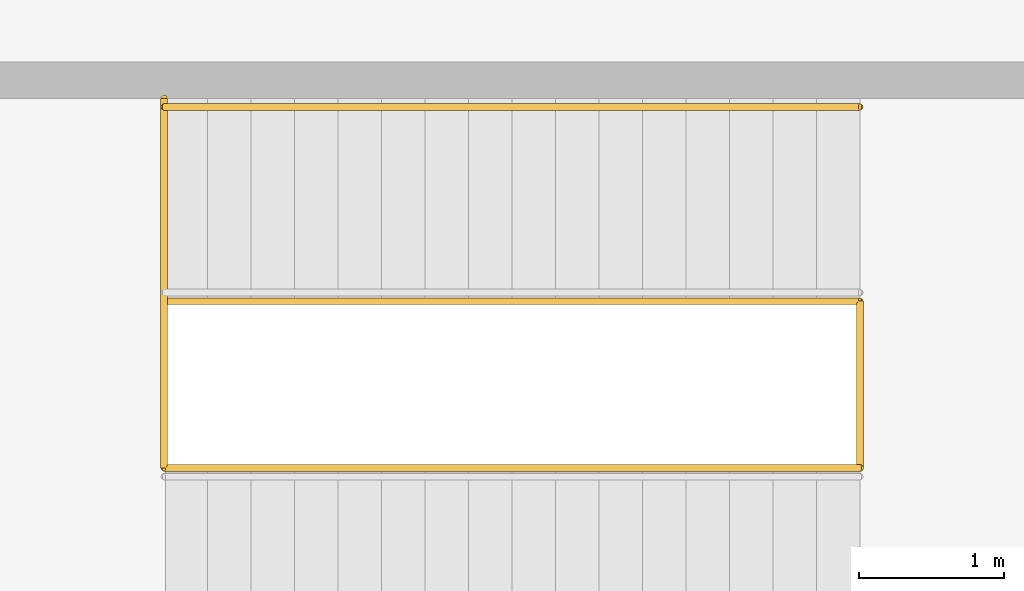
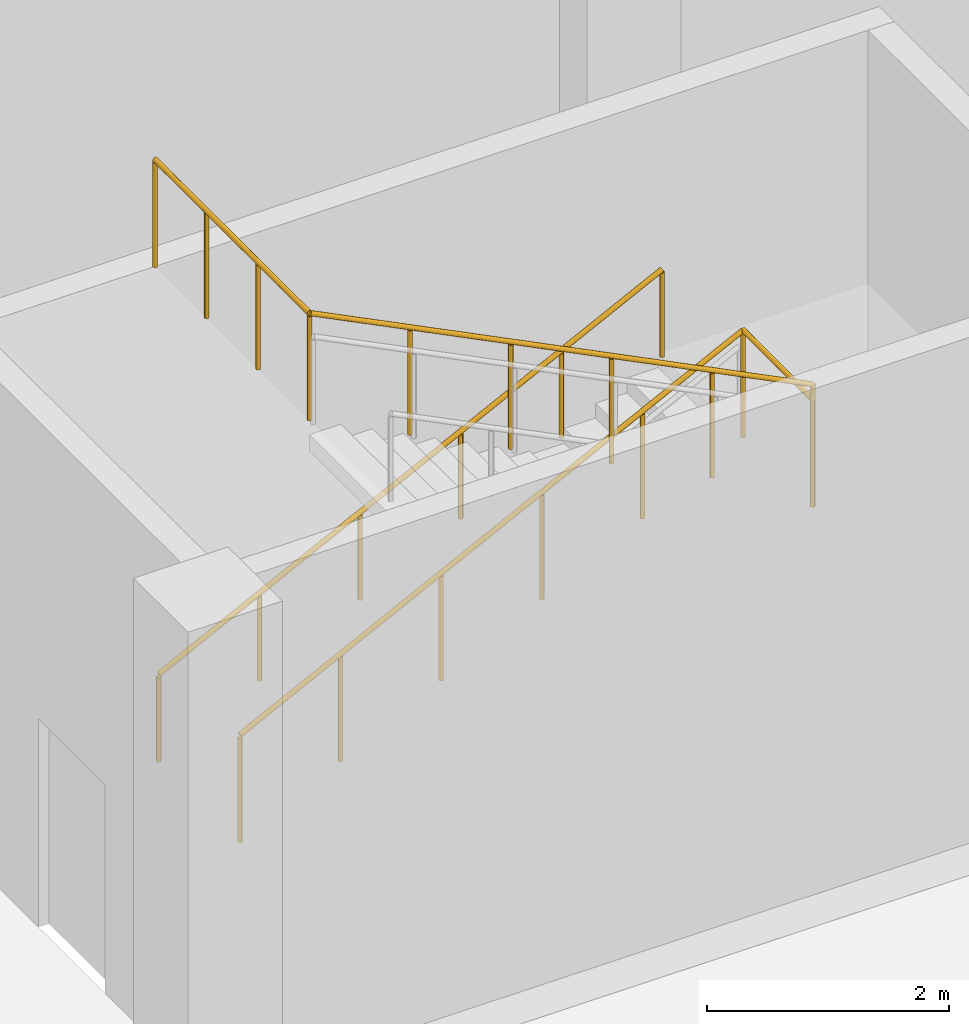
# One storey, part 16 of 16: 2 railings.
"""IFC4 building model written with IfcOpenShell, lengths in metres."""

import ifcopenshell
import ifcopenshell.guid

model = None  # the IFC model being written
_history = None  # IfcOwnerHistory: only IFC2X3 demands one
_inside = {}  # id of a spatial element -> (the spatial element, [elements in it])
_under = {}  # id of a project, library or spatial element -> (it, [spatial elements below it])
_declared = {}  # id of a project -> (the project, [libraries it declares])
_typed = {}  # id of a type object -> (the type object, [elements of that type])
_made_of = {}  # id of a material, layer set ... -> (it, [elements and type objects made of it])


def new_model(schema):
    """Start an empty IFC model of exactly this schema.

    Asked for "IFC4X3", IfcOpenShell would pick the latest addendum, in which some entities
    have other attributes; the version numbers below select the first issue.
    IFC2X3 requires an IfcOwnerHistory on every rooted entity: one is made here for all.
    """
    global model, _history
    if schema == "IFC4X3":
        model = ifcopenshell.file(schema_version=(4, 3, 0, 0))
    else:
        model = ifcopenshell.file(schema=schema)
    _inside.clear()
    _under.clear()
    _declared.clear()
    _typed.clear()
    _made_of.clear()
    _history = None
    if model.schema == "IFC2X3":
        org = make("IfcOrganization", Name="unknown")
        user = make(
            "IfcPersonAndOrganization",
            ThePerson=make("IfcPerson", FamilyName="unknown"),
            TheOrganization=org,
        )
        app = make(
            "IfcApplication",
            ApplicationDeveloper=org,
            Version="unknown",
            ApplicationFullName="unknown",
            ApplicationIdentifier="unknown",
        )
        _history = make(
            "IfcOwnerHistory",
            OwningUser=user,
            OwningApplication=app,
            ChangeAction="ADDED",
            CreationDate=0,
        )
    return model


def make(cls, **values):
    """One entity of the class cls with the attributes given. An attribute that is None is left unset."""
    return model.create_entity(
        cls, **{name: value for name, value in values.items() if value is not None}
    )


def rooted(cls, **values):
    """An entity with a GlobalId (a new one), such as an element, a storey or a relation."""
    return make(cls, GlobalId=ifcopenshell.guid.new(), OwnerHistory=_history, **values)


def si_unit(unit_type, name, prefix=None):
    """IfcSIUnit, for example si_unit("LENGTHUNIT", "METRE", prefix="MILLI")."""
    return make("IfcSIUnit", UnitType=unit_type, Prefix=prefix, Name=name)


def assignment(units):
    """IfcUnitAssignment: the units of a project."""
    return None if units is None else make("IfcUnitAssignment", Units=units)


def point(xyz):
    """IfcCartesianPoint."""
    return None if xyz is None else make("IfcCartesianPoint", Coordinates=xyz)


def direction(xyz):
    """IfcDirection."""
    return None if xyz is None else make("IfcDirection", DirectionRatios=xyz)


def frame(location, z_axis=None, x_axis=None):
    """IfcAxis2Placement3D, a coordinate frame: its origin and axes. An axis left out is left unset."""
    return make(
        "IfcAxis2Placement3D",
        Location=point(location),
        Axis=direction(z_axis),
        RefDirection=direction(x_axis),
    )


def frame_2d(location, x_axis=None):
    """IfcAxis2Placement2D, a coordinate frame in the plane: its origin and x axis."""
    return make(
        "IfcAxis2Placement2D", Location=point(location), RefDirection=direction(x_axis)
    )


def origin():
    """The frame at (0, 0, 0) with its axes left unset."""
    return frame((0.0, 0.0, 0.0))


def origin_2d():
    """The frame at (0, 0) in the plane with its x axis left unset."""
    return frame_2d((0.0, 0.0))


def place(relative_to, where):
    """IfcLocalPlacement: puts the frame where relative to a parent placement (None: the world)."""
    return make(
        "IfcLocalPlacement", PlacementRelTo=relative_to, RelativePlacement=where
    )


def context(
    kind, dimensions, precision=None, world=None, true_north=None, identifier=None
):
    """IfcGeometricRepresentationContext, for example the 3D "Model" context."""
    return make(
        "IfcGeometricRepresentationContext",
        ContextIdentifier=identifier,
        ContextType=kind,
        CoordinateSpaceDimension=dimensions,
        Precision=precision,
        WorldCoordinateSystem=world,
        TrueNorth=true_north,
    )


def subcontext(parent, identifier, kind, view, scale=None):
    """IfcGeometricRepresentationSubContext, for example "Body" below "Model"."""
    return make(
        "IfcGeometricRepresentationSubContext",
        ContextIdentifier=identifier,
        ContextType=kind,
        ParentContext=parent,
        TargetScale=scale,
        TargetView=view,
    )


def project(units=None, contexts=None):
    """IfcProject with its units and contexts."""
    return rooted(
        "IfcProject",
        Name="project",
        RepresentationContexts=contexts,
        UnitsInContext=assignment(units),
    )


def spatial(cls, under=None, at=None, **own):
    """A site, building, storey or space (cls), placed at a placement, below another one or the project."""
    s = rooted(cls, ObjectPlacement=at, **own)
    if under is not None:
        _under.setdefault(under.id(), (under, []))[1].append(s)
    return s


def profile(cls, at=None, kind="AREA", **sizes):
    """A parametric profile (cls). Its sizes go by their IFC names, for example OverallWidth=200.0."""
    return make(cls, ProfileType=kind, Position=at, **sizes)


def circle(**sizes):
    """IfcCircleProfileDef."""
    return profile("IfcCircleProfileDef", **sizes)


def extrude(swept, where, along, depth):
    """IfcExtrudedAreaSolid: the profile swept, set in the frame where, extruded along a direction by depth."""
    return make(
        "IfcExtrudedAreaSolid",
        SweptArea=swept,
        Position=where,
        ExtrudedDirection=direction(along),
        Depth=depth,
    )


def shape(context_of_items, identifier, shape_type, items):
    """IfcShapeRepresentation: the items that make up one representation, for example the "Body"."""
    return make(
        "IfcShapeRepresentation",
        ContextOfItems=context_of_items,
        RepresentationIdentifier=identifier,
        RepresentationType=shape_type,
        Items=items,
    )


def material(Name=None, Category=None):
    """IfcMaterial."""
    return make("IfcMaterial", Name=Name, Category=Category)


def made_of(thing, what):
    """Note that an element or type object is made of a material, layer set ...; save() writes the relation."""
    if what is not None:
        _made_of.setdefault(what.id(), (what, []))[1].append(thing)
    return thing


def type_object(cls, material=None, **own):
    """A type object (cls), such as IfcWallType, which elements share."""
    return made_of(rooted(cls, **own), material)


def element(
    cls,
    number,
    at=None,
    inside=None,
    cuts=None,
    type_object=None,
    material=None,
    context=None,
    identifier="Body",
    shape_type=None,
    held_by="IfcProductDefinitionShape",
    body=None,
    shapes=None,
    **own,
):
    """One element of the class cls, such as IfcWall. Its Tag is "e" and its number.

    at: its placement. inside: the storey or other place that contains it. cuts: it is an
    opening in that element (IfcRelVoidsElement). A single representation is given by context,
    identifier, shape_type and body (its items); several are given by shapes. held_by: the class
    of the entity that holds the representations. save() writes the other relations.
    """
    e = rooted(cls, Tag="e%d" % number, ObjectPlacement=at, **own)
    if body is not None:
        shapes = [shape(context, identifier, shape_type, body)]
    if shapes is not None:
        e.Representation = make(held_by, Representations=shapes)
    if inside is not None:
        _inside.setdefault(inside.id(), (inside, []))[1].append(e)
    if cuts is not None:
        rooted(
            "IfcRelVoidsElement", RelatingBuildingElement=cuts, RelatedOpeningElement=e
        )
    if type_object is not None:
        _typed.setdefault(type_object.id(), (type_object, []))[1].append(e)
    return made_of(e, material)


def aggregate(whole, parts):
    """IfcRelAggregates: a whole, such as a stair, and the parts it consists of."""
    return rooted("IfcRelAggregates", RelatingObject=whole, RelatedObjects=parts)


def save(model, path):
    """Write the relations noted so far, then the file.

    IfcRelAggregates (storeys below a building ...), IfcRelContainedInSpatialStructure (elements
    in a storey), IfcRelDefinesByType, IfcRelAssociatesMaterial and IfcRelDeclares: one each for
    every whole, place, type object, material and project.
    """
    for whole, parts in _under.values():
        aggregate(whole, parts)
    for where, things in _inside.values():
        rooted(
            "IfcRelContainedInSpatialStructure",
            RelatedElements=things,
            RelatingStructure=where,
        )
    for kind, things in _typed.values():
        rooted("IfcRelDefinesByType", RelatedObjects=things, RelatingType=kind)
    for what, things in _made_of.values():
        rooted("IfcRelAssociatesMaterial", RelatedObjects=things, RelatingMaterial=what)
    for by, libraries in _declared.values():
        rooted("IfcRelDeclares", RelatingContext=by, RelatedDefinitions=libraries)
    model.write(path)


model = new_model("IFC4")

# Units and contexts
model_context = context("Model", 3, precision=1e-05, world=origin(), true_north=direction((0.0, 1.0)))
body_context = subcontext(model_context, "Body", "Model", "MODEL_VIEW")
ifc_project = project(units=[si_unit("LENGTHUNIT", "METRE"), si_unit("AREAUNIT", "SQUARE_METRE"), si_unit("VOLUMEUNIT", "CUBIC_METRE"), si_unit("PLANEANGLEUNIT", "RADIAN"), si_unit("MASSUNIT", "GRAM", prefix="KILO")], contexts=[model_context])

# Site, building, storey
site_placement = place(None, origin())
site = spatial("IfcSite", under=ifc_project, at=site_placement, CompositionType="ELEMENT")
building_placement = place(site_placement, origin())
building = spatial("IfcBuilding", under=site, at=building_placement, Name="Guidao Yard Department Store", CompositionType="ELEMENT")
storey_placement = place(building_placement, frame((0.0, 0.0, -5.10009765625)))
storey = spatial("IfcBuildingStorey", under=building, at=storey_placement, Name="B1", CompositionType="ELEMENT", Elevation=-5.10009765625)

# Railings
ifc_material_1 = material(Name="Steel Q235", Category="steel")
railing_type_1 = type_object("IfcRailingType", Name="Guard steel balustrade 1100", PredefinedType="GUARDRAIL", material=ifc_material_1)
railing_1_placement = place(storey_placement, frame((154.949951171875, 38.85009765625, 0.150146484375)))
element("IfcRailing", 1, at=railing_1_placement, inside=storey, type_object=railing_type_1, Name="Basement stair Y2 guard B1 8", PredefinedType="GUARDRAIL", context=body_context, shape_type="SweptSolid", body=[
    extrude(circle(Radius=0.02392578125, at=origin_2d()), frame((0.0, 0.0, 1.076171875), z_axis=(0.894436289399, 0.0, 0.44719539824), x_axis=(0.0, 1.0, 0.0)), (0.0, 0.0, 1.0), 5.366455078125),
    extrude(circle(Radius=0.02392578125, at=origin_2d()), frame((4.800048828125, 0.0, 3.47607421875), z_axis=(0.0, -1.0, 0.0), x_axis=(1.0, 0.0, 0.0)), (0.0, 0.0, 1.0), 1.150146484375),
    extrude(circle(Radius=0.02392578125, at=origin_2d()), frame((4.800048828125, -1.150146484375, 3.47607421875), z_axis=(0.0, 0.0, 1.0), x_axis=(1.0, 0.0, 0.0)), (0.0, 0.0, 1.0), 0.150146484375),
    extrude(circle(Radius=0.02392578125, at=origin_2d()), frame((4.800048828125, -1.150146484375, 3.6259765625), z_axis=(-0.894436289399, 0.0, 0.44719539824), x_axis=(0.0, -1.0, 0.0)), (0.0, 0.0, 1.0), 5.366455078125),
    extrude(circle(Radius=0.02392578125, at=origin_2d()), frame((0.0, -1.150146484375, 6.02587890625), z_axis=(0.0, 1.0, 0.0), x_axis=(-1.0, 0.0, 0.0)), (0.0, 0.0, 1.0), 2.550048828125),
    extrude(circle(Radius=0.02099609375, at=origin_2d()), origin(), (0.0, 0.0, 1.0), 1.052001953125),
    extrude(circle(Radius=0.02099609375, at=origin_2d()), frame((0.9599609375, 0.0, 0.47998046875)), (0.0, 0.0, 1.0), 1.052001953125),
    extrude(circle(Radius=0.02099609375, at=origin_2d()), frame((1.919921875, 0.0, 0.9599609375)), (0.0, 0.0, 1.0), 1.052001953125),
    extrude(circle(Radius=0.02099609375, at=origin_2d()), frame((2.880126953125, 0.0, 1.43994140625)), (0.0, 0.0, 1.0), 1.052001953125),
    extrude(circle(Radius=0.02099609375, at=origin_2d()), frame((3.840087890625, 0.0, 1.919921875)), (0.0, 0.0, 1.0), 1.052001953125),
    extrude(circle(Radius=0.02099609375, at=origin_2d()), frame((4.800048828125, 0.0, 2.39990234375)), (0.0, 0.0, 1.0), 1.052001953125),
    extrude(circle(Radius=0.02099609375, at=origin_2d()), frame((4.800048828125, -1.150146484375, 2.39990234375)), (0.0, 0.0, 1.0), 1.052001953125),
    extrude(circle(Radius=0.02099609375, at=origin_2d()), frame((4.800048828125, -1.150146484375, 2.550048828125)), (0.0, 0.0, 1.0), 1.052001953125),
    extrude(circle(Radius=0.02099609375, at=origin_2d()), frame((3.840087890625, -1.150146484375, 3.030029296875)), (0.0, 0.0, 1.0), 1.052001953125),
    extrude(circle(Radius=0.02099609375, at=origin_2d()), frame((2.880126953125, -1.150146484375, 3.510009765625)), (0.0, 0.0, 1.0), 1.052001953125),
    extrude(circle(Radius=0.02099609375, at=origin_2d()), frame((1.919921875, -1.150146484375, 3.989990234375)), (0.0, 0.0, 1.0), 1.052001953125),
    extrude(circle(Radius=0.02099609375, at=origin_2d()), frame((0.9599609375, -1.150146484375, 4.469970703125)), (0.0, 0.0, 1.0), 1.052001953125),
    extrude(circle(Radius=0.02099609375, at=origin_2d()), frame((0.0, -1.150146484375, 4.949951171875)), (0.0, 0.0, 1.0), 1.052001953125),
    extrude(circle(Radius=0.02099609375, at=origin_2d()), frame((0.0, -0.300048828125, 4.949951171875)), (0.0, 0.0, 1.0), 1.052001953125),
    extrude(circle(Radius=0.02099609375, at=origin_2d()), frame((0.0, 0.5498046875, 4.949951171875)), (0.0, 0.0, 1.0), 1.052001953125),
    extrude(circle(Radius=0.02099609375, at=origin_2d()), frame((0.0, 1.39990234375, 4.949951171875)), (0.0, 0.0, 1.0), 1.052001953125),
])
ifc_material_2 = material(Name="Steel Q235", Category="steel")
railing_type_2 = type_object("IfcRailingType", Name="Handrail steel tube 48", PredefinedType="HANDRAIL", material=ifc_material_2)
railing_2_placement = place(storey_placement, frame((154.949951171875, 40.18994140625, 0.150146484375)))
element("IfcRailing", 2, at=railing_2_placement, inside=storey, type_object=railing_type_2, Name="Basement stair Y2 hand rail B1 29", PredefinedType="HANDRAIL", context=body_context, shape_type="SweptSolid", body=[
    extrude(circle(Radius=0.02392578125, at=origin_2d()), frame((0.0, 0.0, 0.8759765625), z_axis=(0.894436289399, 0.0, 0.44719539824), x_axis=(0.0, 1.0, 0.0)), (0.0, 0.0, 1.0), 5.366455078125),
    extrude(circle(Radius=0.02099609375, at=origin_2d()), origin(), (0.0, 0.0, 1.0), 0.851806640625),
    extrude(circle(Radius=0.02099609375, at=origin_2d()), frame((0.9599609375, 0.0, 0.47998046875)), (0.0, 0.0, 1.0), 0.851806640625),
    extrude(circle(Radius=0.02099609375, at=origin_2d()), frame((1.919921875, 0.0, 0.9599609375)), (0.0, 0.0, 1.0), 0.851806640625),
    extrude(circle(Radius=0.02099609375, at=origin_2d()), frame((2.880126953125, 0.0, 1.43994140625)), (0.0, 0.0, 1.0), 0.851806640625),
    extrude(circle(Radius=0.02099609375, at=origin_2d()), frame((3.840087890625, 0.0, 1.919921875)), (0.0, 0.0, 1.0), 0.851806640625),
    extrude(circle(Radius=0.02099609375, at=origin_2d()), frame((4.800048828125, 0.0, 2.39990234375)), (0.0, 0.0, 1.0), 0.851806640625),
])

save(model, "model.ifc")
